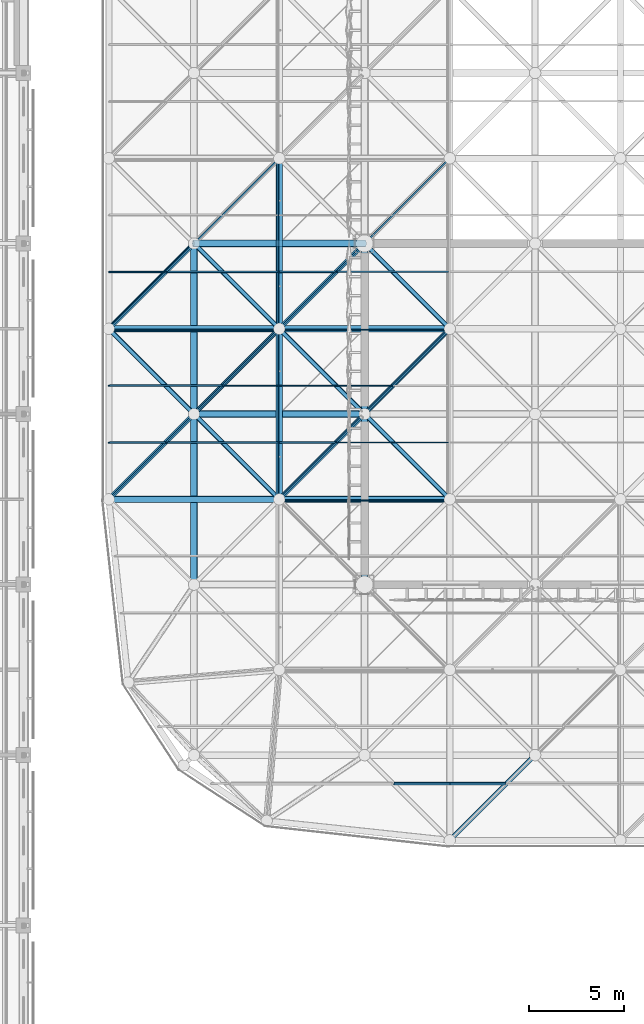
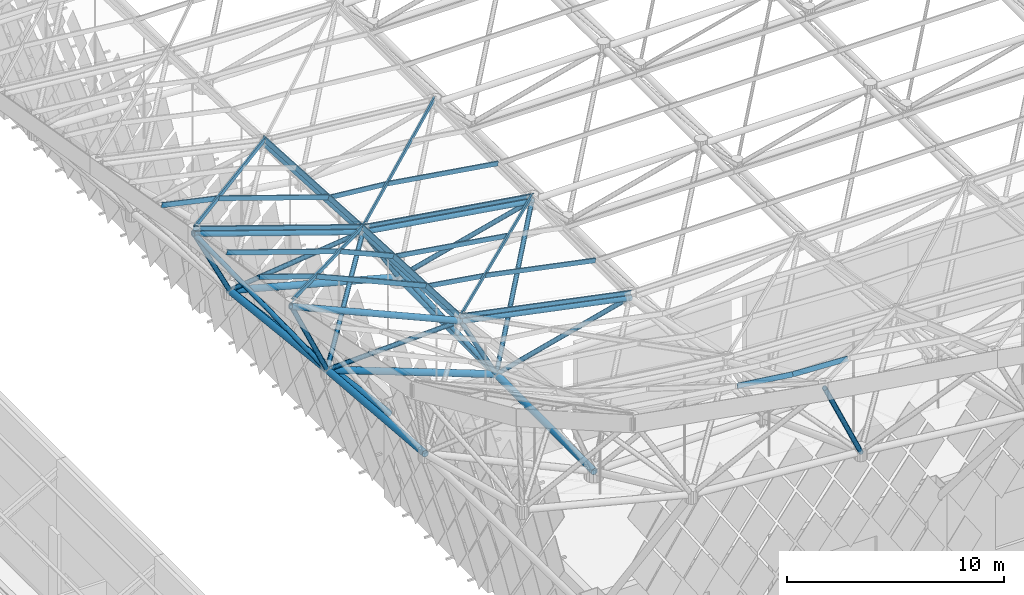
# One storey, part 51 of 437: 48 members.
"""IFC4 building model written with IfcOpenShell, lengths in metres."""

from ifc_helpers import new_model, si_unit, direction, frame, origin, origin_2d, place, context, subcontext, project, spatial, polyline, hollow_circle, outline, extrude, material, material_profile, profile_set, type_object, element, save


model = new_model("IFC4")

# Units and contexts
model_context = context("Model", 3, precision=1e-05, world=origin(), true_north=direction((0.0, 1.0)))
body_context = subcontext(model_context, "Body", "Model", "MODEL_VIEW")
ifc_project = project(units=[si_unit("LENGTHUNIT", "METRE"), si_unit("AREAUNIT", "SQUARE_METRE"), si_unit("VOLUMEUNIT", "CUBIC_METRE"), si_unit("PLANEANGLEUNIT", "RADIAN"), si_unit("MASSUNIT", "GRAM", prefix="KILO")], contexts=[model_context])

# Site, building, storey
site_placement = place(None, origin())
site = spatial("IfcSite", under=ifc_project, at=site_placement, CompositionType="ELEMENT")
building_placement = place(site_placement, origin())
building = spatial("IfcBuilding", under=site, at=building_placement, Name="Opaline Strait Convention Centre", CompositionType="ELEMENT")
storey_placement = place(building_placement, frame((0.0, 0.0, 11.5)))
storey = spatial("IfcBuildingStorey", under=building, at=storey_placement, Name="L02", CompositionType="ELEMENT", Elevation=11.5)

# Members
ifc_material = material(Name="Steel Q355B", Category="steel")
ifc_material_profile_1 = material_profile(ifc_material, hollow_circle(Radius=0.175537109375, WallThickness=0.01611328125, at=origin_2d()), Name="CHS 351x16")
ifc_profile_set_1 = profile_set([ifc_material_profile_1], Name="Steel Q355B")
member_type_1 = type_object("IfcMemberType", Name="Raking prop CHS 351x16", PredefinedType="BRACE", material=ifc_profile_set_1)
member_1_placement = place(storey_placement, frame((98.48388671875, 72.0, 5.0185546875), z_axis=(-0.651001904669, 0.0, 0.759076096394), x_axis=(0.0, -1.0, 0.0)))
element("IfcMember", 1, at=member_1_placement, inside=storey, type_object=member_type_1, Name="Raking prop 99/72 W", PredefinedType="BRACE", context=body_context, shape_type="SweptSolid", body=[
    extrude(hollow_circle(Radius=0.175537109375, WallThickness=0.01611328125, at=origin_2d()), origin(), (0.0, 0.0, 1.0), 13.08203125),
])
ifc_material_profile_2 = material_profile(ifc_material, outline(polyline([(-0.03759765625, -0.125), (0.03759765625, -0.125), (0.03759765625, -0.10498046875), (0.034912109375, -0.10498046875), (0.034912109375, -0.12255859375), (-0.034912109375, -0.12255859375), (-0.034912109375, 0.12255859375), (0.034912109375, 0.12255859375), (0.034912109375, 0.10498046875), (0.03759765625, 0.10498046875), (0.03759765625, 0.125), (-0.03759765625, 0.125), (-0.03759765625, -0.125)])), Name="C 250x75x20x2.5")
ifc_profile_set_2 = profile_set([ifc_material_profile_2], Name="Steel Q355B")
member_type_2 = type_object("IfcMemberType", Name="Roof purlin C 250x75x20x2.5", PredefinedType="PURLIN", material=ifc_profile_set_2)
member_2_placement = place(storey_placement, frame((100.550048828125, 43.5, 23.12255859375), z_axis=(0.991632414904, 0.0, -0.12909358509), x_axis=(-0.05197819634, 0.915358568875, -0.39927053171)))
element("IfcMember", 2, at=member_2_placement, inside=storey, type_object=member_type_2, Name="EXB-RF-P-1-0-0a", PredefinedType="PURLIN", context=body_context, shape_type="SweptSolid", body=[
    extrude(outline(polyline([(-0.03759765625, -0.125), (0.03759765625, -0.125), (0.03759765625, -0.10498046875), (0.034912109375, -0.10498046875), (0.034912109375, -0.12255859375), (-0.034912109375, -0.12255859375), (-0.034912109375, 0.12255859375), (0.034912109375, 0.12255859375), (0.034912109375, 0.10498046875), (0.03759765625, 0.10498046875), (0.03759765625, 0.125), (-0.03759765625, 0.125), (-0.03759765625, -0.125)])), origin(), (0.0, 0.0, 1.0), 2.974853515625),
])
member_3_placement = place(storey_placement, frame((103.5, 43.5, 22.73779296875), z_axis=(0.998826047838, 0.0, -0.048440955395), x_axis=(-0.019504249484, 0.915358568875, -0.402166973581)))
element("IfcMember", 3, at=member_3_placement, inside=storey, type_object=member_type_2, Name="EXB-RF-P-2-0-0b", PredefinedType="PURLIN", context=body_context, shape_type="SweptSolid", body=[
    extrude(outline(polyline([(-0.03759765625, -0.125), (0.03759765625, -0.125), (0.03759765625, -0.10498046875), (0.034912109375, -0.10498046875), (0.034912109375, -0.12255859375), (-0.034912109375, -0.12255859375), (-0.034912109375, 0.12255859375), (0.034912109375, 0.12255859375), (0.034912109375, 0.10498046875), (0.03759765625, 0.10498046875), (0.03759765625, 0.125), (-0.03759765625, 0.125), (-0.03759765625, -0.125)])), origin(), (0.0, 0.0, 1.0), 2.953369140625),
])
member_4_placement = place(storey_placement, frame((103.550048828125, 58.4365234375, 18.26318359375), z_axis=(-0.979783138157, 0.0, 0.200062495694), x_axis=(0.039250095094, -0.980566065775, 0.192222841219)))
element("IfcMember", 4, at=member_4_placement, inside=storey, type_object=member_type_2, Name="EXB-RF-E-1-1a", PredefinedType="PURLIN", context=body_context, shape_type="SweptSolid", body=[
    extrude(outline(polyline([(-0.03759765625, -0.125), (0.03759765625, -0.125), (0.03759765625, -0.10498046875), (0.034912109375, -0.10498046875), (0.034912109375, -0.12255859375), (-0.034912109375, -0.12255859375), (-0.034912109375, 0.12255859375), (0.034912109375, 0.12255859375), (0.034912109375, 0.10498046875), (0.03759765625, 0.10498046875), (0.03759765625, 0.125), (-0.03759765625, 0.125), (-0.03759765625, -0.125)])), origin(), (0.0, 0.0, 1.0), 9.287841796875),
])
member_5_placement = place(storey_placement, frame((85.5, 58.5, 24.06103515625), z_axis=(0.66838117447, 0.66838117447, -0.326394257346), x_axis=(-0.672492106724, 0.730507071966, 0.118801448655)))
element("IfcMember", 5, at=member_5_placement, inside=storey, type_object=member_type_2, Name="EXB-RF-F-0-2", PredefinedType="PURLIN", context=body_context, shape_type="SweptSolid", body=[
    extrude(outline(polyline([(-0.03759765625, -0.125), (0.03759765625, -0.125), (0.03759765625, -0.10498046875), (0.034912109375, -0.10498046875), (0.034912109375, -0.12255859375), (-0.034912109375, -0.12255859375), (-0.034912109375, 0.12255859375), (0.034912109375, 0.12255859375), (0.034912109375, 0.10498046875), (0.03759765625, 0.10498046875), (0.03759765625, 0.125), (-0.03759765625, 0.125), (-0.03759765625, -0.125)])), origin(), (0.0, 0.0, 1.0), 13.46533203125),
])
member_6_placement = place(storey_placement, frame((94.41162109375, 67.550048828125, 19.70654296875), z_axis=(0.0, -0.99882696864, 0.048421965239), x_axis=(0.915532762336, -0.019477416429, -0.401771566115)))
element("IfcMember", 6, at=member_6_placement, inside=storey, type_object=member_type_2, Name="EXB-RF-E-0-2a", PredefinedType="PURLIN", context=body_context, shape_type="SweptSolid", body=[
    extrude(outline(polyline([(-0.03759765625, -0.125), (0.03759765625, -0.125), (0.03759765625, -0.10498046875), (0.034912109375, -0.10498046875), (0.034912109375, -0.12255859375), (-0.034912109375, -0.12255859375), (-0.034912109375, 0.12255859375), (0.034912109375, 0.12255859375), (0.034912109375, 0.10498046875), (0.03759765625, 0.10498046875), (0.03759765625, 0.125), (-0.03759765625, 0.125), (-0.03759765625, -0.125)])), origin(), (0.0, 0.0, 1.0), 9.11083984375),
])
member_7_placement = place(storey_placement, frame((88.550048828125, 61.5, 22.578125), z_axis=(0.915356308677, 0.0, -0.402644791554), x_axis=(-0.01950134748, 0.998826427329, -0.044333570973)))
element("IfcMember", 7, at=member_7_placement, inside=storey, type_object=member_type_2, Name="EXB-RF-P-0-2-0a", PredefinedType="PURLIN", context=body_context, shape_type="SweptSolid", body=[
    extrude(outline(polyline([(-0.03759765625, -0.125), (0.03759765625, -0.125), (0.03759765625, -0.10498046875), (0.034912109375, -0.10498046875), (0.034912109375, -0.12255859375), (-0.034912109375, -0.12255859375), (-0.034912109375, 0.12255859375), (0.034912109375, 0.12255859375), (0.034912109375, 0.10498046875), (0.03759765625, 0.10498046875), (0.03759765625, 0.125), (-0.03759765625, 0.125), (-0.03759765625, -0.125)])), origin(), (0.0, 0.0, 1.0), 6.365966796875),
])
member_8_placement = place(storey_placement, frame((91.550048828125, 64.5, 21.113037109375), z_axis=(0.9153499956, 0.0, -0.402659143142), x_axis=(-0.019502042572, 0.998826427329, -0.044333265211)))
element("IfcMember", 8, at=member_8_placement, inside=storey, type_object=member_type_2, Name="EXB-RF-P-0-2-1a", PredefinedType="PURLIN", context=body_context, shape_type="SweptSolid", body=[
    extrude(outline(polyline([(-0.03759765625, -0.125), (0.03759765625, -0.125), (0.03759765625, -0.10498046875), (0.034912109375, -0.10498046875), (0.034912109375, -0.12255859375), (-0.034912109375, -0.12255859375), (-0.034912109375, 0.12255859375), (0.034912109375, 0.12255859375), (0.034912109375, 0.10498046875), (0.03759765625, 0.10498046875), (0.03759765625, 0.125), (-0.03759765625, 0.125), (-0.03759765625, -0.125)])), origin(), (0.0, 0.0, 1.0), 3.088623046875),
])
member_9_placement = place(storey_placement, frame((94.550048828125, 67.443115234375, 19.657470703125), z_axis=(-0.94707556838, 0.0, 0.321010697294), x_axis=(0.044974525914, -0.990136950451, 0.132688022709)))
element("IfcMember", 9, at=member_9_placement, inside=storey, type_object=member_type_2, Name="EXB-RF-E-0-2b", PredefinedType="PURLIN", context=body_context, shape_type="SweptSolid", body=[
    extrude(outline(polyline([(-0.03759765625, -0.125), (0.03759765625, -0.125), (0.03759765625, -0.10498046875), (0.034912109375, -0.10498046875), (0.034912109375, -0.12255859375), (-0.034912109375, -0.12255859375), (-0.034912109375, 0.12255859375), (0.034912109375, 0.12255859375), (0.034912109375, 0.10498046875), (0.03759765625, 0.10498046875), (0.03759765625, 0.125), (-0.03759765625, 0.125), (-0.03759765625, -0.125)])), origin(), (0.0, 0.0, 1.0), 9.608642578125),
])
member_10_placement = place(storey_placement, frame((85.5, 61.5, 23.612548828125), z_axis=(0.947088093086, 0.0, -0.320973743374), x_axis=(-0.047429088664, 0.989022311823, -0.139947662594)))
element("IfcMember", 10, at=member_10_placement, inside=storey, type_object=member_type_2, Name="EXB-RF-P-0-2-0b", PredefinedType="PURLIN", context=body_context, shape_type="SweptSolid", body=[
    extrude(outline(polyline([(-0.03759765625, -0.125), (0.03759765625, -0.125), (0.03759765625, -0.10498046875), (0.034912109375, -0.10498046875), (0.034912109375, -0.12255859375), (-0.034912109375, -0.12255859375), (-0.034912109375, 0.12255859375), (0.034912109375, 0.12255859375), (0.034912109375, 0.10498046875), (0.03759765625, 0.10498046875), (0.03759765625, 0.125), (-0.03759765625, 0.125), (-0.03759765625, -0.125)])), origin(), (0.0, 0.0, 1.0), 3.11474609375),
])
member_11_placement = place(storey_placement, frame((85.5, 64.5, 23.16455078125), z_axis=(0.947070084803, 0.0, -0.321026874997), x_axis=(-0.047436939725, 0.989022311823, -0.139945001577)))
element("IfcMember", 11, at=member_11_placement, inside=storey, type_object=member_type_2, Name="EXB-RF-P-0-2-1b", PredefinedType="PURLIN", context=body_context, shape_type="SweptSolid", body=[
    extrude(outline(polyline([(-0.03759765625, -0.125), (0.03759765625, -0.125), (0.03759765625, -0.10498046875), (0.034912109375, -0.10498046875), (0.034912109375, -0.12255859375), (-0.034912109375, -0.12255859375), (-0.034912109375, 0.12255859375), (0.034912109375, 0.12255859375), (0.034912109375, 0.10498046875), (0.03759765625, 0.10498046875), (0.03759765625, 0.125), (-0.03759765625, 0.125), (-0.03759765625, -0.125)])), origin(), (0.0, 0.0, 1.0), 6.282470703125),
])
member_12_placement = place(storey_placement, frame((94.5, 58.5, 20.09521484375), z_axis=(0.699848198846, 0.699848198846, -0.142916049287), x_axis=(-0.697561791101, 0.712686479451, 0.074064361226)))
element("IfcMember", 12, at=member_12_placement, inside=storey, type_object=member_type_2, Name="EXB-RF-F-1-2", PredefinedType="PURLIN", context=body_context, shape_type="SweptSolid", body=[
    extrude(outline(polyline([(-0.03759765625, -0.125), (0.03759765625, -0.125), (0.03759765625, -0.10498046875), (0.034912109375, -0.10498046875), (0.034912109375, -0.12255859375), (-0.034912109375, -0.12255859375), (-0.034912109375, 0.12255859375), (0.034912109375, 0.12255859375), (0.034912109375, 0.10498046875), (0.03759765625, 0.10498046875), (0.03759765625, 0.125), (-0.03759765625, 0.125), (-0.03759765625, -0.125)])), origin(), (0.0, 0.0, 1.0), 12.85986328125),
])
member_13_placement = place(storey_placement, frame((97.550048828125, 61.5, 19.474609375), z_axis=(0.979783458898, 0.0, -0.200060924894), x_axis=(0.0, 1.0, 0.0)))
element("IfcMember", 13, at=member_13_placement, inside=storey, type_object=member_type_2, Name="EXB-RF-P-1-2-0a", PredefinedType="PURLIN", context=body_context, shape_type="SweptSolid", body=[
    extrude(outline(polyline([(-0.03759765625, -0.125), (0.03759765625, -0.125), (0.03759765625, -0.10498046875), (0.034912109375, -0.10498046875), (0.034912109375, -0.12255859375), (-0.034912109375, -0.12255859375), (-0.034912109375, 0.12255859375), (0.034912109375, 0.12255859375), (0.034912109375, 0.10498046875), (0.03759765625, 0.10498046875), (0.03759765625, 0.125), (-0.03759765625, 0.125), (-0.03759765625, -0.125)])), origin(), (0.0, 0.0, 1.0), 5.972412109375),
])
member_14_placement = place(storey_placement, frame((103.550048828125, 67.454345703125, 18.2529296875), z_axis=(-0.988093016125, 0.0, 0.153857698814), x_axis=(0.007363297001, -0.998854157138, 0.047287996623)))
element("IfcMember", 14, at=member_14_placement, inside=storey, type_object=member_type_2, Name="EXB-RF-E-1-2b", PredefinedType="PURLIN", context=body_context, shape_type="SweptSolid", body=[
    extrude(outline(polyline([(-0.03759765625, -0.125), (0.03759765625, -0.125), (0.03759765625, -0.10498046875), (0.034912109375, -0.10498046875), (0.034912109375, -0.12255859375), (-0.034912109375, -0.12255859375), (-0.034912109375, 0.12255859375), (0.034912109375, 0.12255859375), (0.034912109375, 0.10498046875), (0.03759765625, 0.10498046875), (0.03759765625, 0.125), (-0.03759765625, 0.125), (-0.03759765625, -0.125)])), origin(), (0.0, 0.0, 1.0), 9.209716796875),
])
member_15_placement = place(storey_placement, frame((94.5, 61.5, 19.950927734375), z_axis=(0.988086366005, 0.0, -0.153900400631), x_axis=(-0.00745387809, 0.998826427329, -0.047856115284)))
element("IfcMember", 15, at=member_15_placement, inside=storey, type_object=member_type_2, Name="EXB-RF-P-1-2-0b", PredefinedType="PURLIN", context=body_context, shape_type="SweptSolid", body=[
    extrude(outline(polyline([(-0.03759765625, -0.125), (0.03759765625, -0.125), (0.03759765625, -0.10498046875), (0.034912109375, -0.10498046875), (0.034912109375, -0.12255859375), (-0.034912109375, -0.12255859375), (-0.034912109375, 0.12255859375), (0.034912109375, 0.12255859375), (0.034912109375, 0.10498046875), (0.03759765625, 0.10498046875), (0.03759765625, 0.125), (-0.03759765625, 0.125), (-0.03759765625, -0.125)])), origin(), (0.0, 0.0, 1.0), 2.985595703125),
])
member_16_placement = place(storey_placement, frame((94.5, 64.5, 19.805419921875), z_axis=(0.988092099011, 0.0, -0.153863588517), x_axis=(-0.007452095164, 0.998826427329, -0.047856392952)))
element("IfcMember", 16, at=member_16_placement, inside=storey, type_object=member_type_2, Name="EXB-RF-P-1-2-1b", PredefinedType="PURLIN", context=body_context, shape_type="SweptSolid", body=[
    extrude(outline(polyline([(-0.03759765625, -0.125), (0.03759765625, -0.125), (0.03759765625, -0.10498046875), (0.034912109375, -0.10498046875), (0.034912109375, -0.12255859375), (-0.034912109375, -0.12255859375), (-0.034912109375, 0.12255859375), (0.034912109375, 0.12255859375), (0.034912109375, 0.10498046875), (0.03759765625, 0.10498046875), (0.03759765625, 0.125), (-0.03759765625, 0.125), (-0.03759765625, -0.125)])), origin(), (0.0, 0.0, 1.0), 6.021728515625),
])
member_17_placement = place(storey_placement, frame((85.5, 67.5, 22.71142578125), z_axis=(0.680940085926, 0.680940085926, -0.26952031233), x_axis=(-0.701135867447, 0.712454070999, 0.028595316)))
element("IfcMember", 17, at=member_17_placement, inside=storey, type_object=member_type_2, Name="EXB-RF-F-0-3", PredefinedType="PURLIN", context=body_context, shape_type="SweptSolid", body=[
    extrude(outline(polyline([(-0.03759765625, -0.125), (0.03759765625, -0.125), (0.03759765625, -0.10498046875), (0.034912109375, -0.10498046875), (0.034912109375, -0.12255859375), (-0.034912109375, -0.12255859375), (-0.034912109375, 0.12255859375), (0.034912109375, 0.12255859375), (0.034912109375, 0.10498046875), (0.03759765625, 0.10498046875), (0.03759765625, 0.125), (-0.03759765625, 0.125), (-0.03759765625, -0.125)])), origin(), (0.0, 0.0, 1.0), 13.217041015625),
])
member_18_placement = place(storey_placement, frame((94.421630859375, 76.550048828125, 19.177490234375), z_axis=(0.0, -0.998386467892, 0.056784335245), x_axis=(0.947231539522, -0.018202228232, -0.320032950527)))
element("IfcMember", 18, at=member_18_placement, inside=storey, type_object=member_type_2, Name="EXB-RF-E-0-3a", PredefinedType="PURLIN", context=body_context, shape_type="SweptSolid", body=[
    extrude(outline(polyline([(-0.03759765625, -0.125), (0.03759765625, -0.125), (0.03759765625, -0.10498046875), (0.034912109375, -0.10498046875), (0.034912109375, -0.12255859375), (-0.034912109375, -0.12255859375), (-0.034912109375, 0.12255859375), (0.034912109375, 0.12255859375), (0.034912109375, 0.10498046875), (0.03759765625, 0.10498046875), (0.03759765625, 0.125), (-0.03759765625, 0.125), (-0.03759765625, -0.125)])), origin(), (0.0, 0.0, 1.0), 9.11474609375),
])
member_19_placement = place(storey_placement, frame((88.550048828125, 70.5, 21.511474609375), z_axis=(0.947082821832, 0.0, -0.320989296692), x_axis=(-0.018222388517, 0.99838731392, -0.053765378829)))
element("IfcMember", 19, at=member_19_placement, inside=storey, type_object=member_type_2, Name="EXB-RF-P-0-3-0a", PredefinedType="PURLIN", context=body_context, shape_type="SweptSolid", body=[
    extrude(outline(polyline([(-0.03759765625, -0.125), (0.03759765625, -0.125), (0.03759765625, -0.10498046875), (0.034912109375, -0.10498046875), (0.034912109375, -0.12255859375), (-0.034912109375, -0.12255859375), (-0.034912109375, 0.12255859375), (0.034912109375, 0.12255859375), (0.034912109375, 0.10498046875), (0.03759765625, 0.10498046875), (0.03759765625, 0.125), (-0.03759765625, 0.125), (-0.03759765625, -0.125)])), origin(), (0.0, 0.0, 1.0), 6.1630859375),
])
member_20_placement = place(storey_placement, frame((85.5, 70.5, 22.184326171875), z_axis=(0.976699731106, 0.0, -0.214610426722), x_axis=(-0.037218754753, 0.984847127184, -0.169383884626)))
element("IfcMember", 20, at=member_20_placement, inside=storey, type_object=member_type_2, Name="EXB-RF-P-0-3-0b", PredefinedType="PURLIN", context=body_context, shape_type="SweptSolid", body=[
    extrude(outline(polyline([(-0.03759765625, -0.125), (0.03759765625, -0.125), (0.03759765625, -0.10498046875), (0.034912109375, -0.10498046875), (0.034912109375, -0.12255859375), (-0.034912109375, -0.12255859375), (-0.034912109375, 0.12255859375), (0.034912109375, 0.12255859375), (0.034912109375, 0.10498046875), (0.03759765625, 0.10498046875), (0.03759765625, 0.125), (-0.03759765625, 0.125), (-0.03759765625, -0.125)])), origin(), (0.0, 0.0, 1.0), 3.020263671875),
])
member_21_placement = place(storey_placement, frame((94.5, 67.5, 19.657470703125), z_axis=(0.702857973456, 0.702857973456, -0.10945929974), x_axis=(-0.704515187221, 0.709082641772, 0.029328452286)))
element("IfcMember", 21, at=member_21_placement, inside=storey, type_object=member_type_2, Name="EXB-RF-F-1-3", PredefinedType="PURLIN", context=body_context, shape_type="SweptSolid", body=[
    extrude(outline(polyline([(-0.03759765625, -0.125), (0.03759765625, -0.125), (0.03759765625, -0.10498046875), (0.034912109375, -0.10498046875), (0.034912109375, -0.12255859375), (-0.034912109375, -0.12255859375), (-0.034912109375, 0.12255859375), (0.034912109375, 0.12255859375), (0.034912109375, 0.10498046875), (0.03759765625, 0.10498046875), (0.03759765625, 0.125), (-0.03759765625, 0.125), (-0.03759765625, -0.125)])), origin(), (0.0, 0.0, 1.0), 12.804931640625),
])
member_22_placement = place(storey_placement, frame((97.550048828125, 70.5, 19.18505859375), z_axis=(0.988090041888, 0.0, -0.15387679852), x_axis=(0.0, 1.0, 0.0)))
element("IfcMember", 22, at=member_22_placement, inside=storey, type_object=member_type_2, Name="EXB-RF-P-1-3-0a", PredefinedType="PURLIN", context=body_context, shape_type="SweptSolid", body=[
    extrude(outline(polyline([(-0.03759765625, -0.125), (0.03759765625, -0.125), (0.03759765625, -0.10498046875), (0.034912109375, -0.10498046875), (0.034912109375, -0.12255859375), (-0.034912109375, -0.12255859375), (-0.034912109375, 0.12255859375), (0.034912109375, 0.12255859375), (0.034912109375, 0.10498046875), (0.03759765625, 0.10498046875), (0.03759765625, 0.125), (-0.03759765625, 0.125), (-0.03759765625, -0.125)])), origin(), (0.0, 0.0, 1.0), 5.927490234375),
])
member_23_placement = place(storey_placement, frame((94.5, 70.5, 19.488525390625), z_axis=(0.995153115332, 0.0, -0.098337566805), x_axis=(-0.005582570405, 0.99838731392, -0.056494303355)))
element("IfcMember", 23, at=member_23_placement, inside=storey, type_object=member_type_2, Name="EXB-RF-P-1-3-0b", PredefinedType="PURLIN", context=body_context, shape_type="SweptSolid", body=[
    extrude(outline(polyline([(-0.03759765625, -0.125), (0.03759765625, -0.125), (0.03759765625, -0.10498046875), (0.034912109375, -0.10498046875), (0.034912109375, -0.12255859375), (-0.034912109375, -0.12255859375), (-0.034912109375, 0.12255859375), (0.034912109375, 0.12255859375), (0.034912109375, 0.10498046875), (0.03759765625, 0.10498046875), (0.03759765625, 0.125), (-0.03759765625, 0.125), (-0.03759765625, -0.125)])), origin(), (0.0, 0.0, 1.0), 2.96435546875),
])
ifc_material_profile_3 = material_profile(ifc_material, hollow_circle(Radius=0.175537109375, WallThickness=0.01611328125, at=origin_2d()), Name="CHS 351x16")
ifc_profile_set_3 = profile_set([ifc_material_profile_3], Name="Steel Q355B")
member_type_3 = type_object("IfcMemberType", Name="Space frame bottom chord CHS 351x16", PredefinedType="CHORD", material=ifc_profile_set_3)
member_24_placement = place(storey_placement, frame((89.953125, 63.0, 15.919189453125), z_axis=(0.935426145713, 0.0, -0.353522171746), x_axis=(0.0, 1.0, 0.0)))
element("IfcMember", 24, at=member_24_placement, inside=storey, type_object=member_type_3, Name="EXB-RF-BX-0-2", PredefinedType="CHORD", context=body_context, shape_type="SweptSolid", body=[
    extrude(hollow_circle(Radius=0.175537109375, WallThickness=0.01611328125, at=origin_2d()), origin(), (0.0, 0.0, 1.0), 9.721435546875),
])
member_25_placement = place(storey_placement, frame((89.95166015625, 72.0, 14.923828125), z_axis=(0.965943886193, 0.0, -0.258751635215), x_axis=(0.0, 1.0, 0.0)))
element("IfcMember", 25, at=member_25_placement, inside=storey, type_object=member_type_3, Name="EXB-RF-BX-0-3", PredefinedType="CHORD", context=body_context, shape_type="SweptSolid", body=[
    extrude(hollow_circle(Radius=0.175537109375, WallThickness=0.01611328125, at=origin_2d()), origin(), (0.0, 0.0, 1.0), 9.41748046875),
])
member_26_placement = place(storey_placement, frame((90.0, 53.9501953125, 16.66064453125), z_axis=(0.0, 0.996499137169, -0.083603047916), x_axis=(-1.0, 0.0, 0.0)))
element("IfcMember", 26, at=member_26_placement, inside=storey, type_object=member_type_3, Name="EXB-RF-BY-0-1", PredefinedType="CHORD", context=body_context, shape_type="SweptSolid", body=[
    extrude(hollow_circle(Radius=0.175537109375, WallThickness=0.01611328125, at=origin_2d()), origin(), (0.0, 0.0, 1.0), 9.131591796875),
])
member_27_placement = place(storey_placement, frame((90.0, 62.9501953125, 15.906982421875), z_axis=(0.0, 0.993995425291, -0.109421636348), x_axis=(-1.0, 0.0, 0.0)))
element("IfcMember", 27, at=member_27_placement, inside=storey, type_object=member_type_3, Name="EXB-RF-BY-0-2", PredefinedType="CHORD", context=body_context, shape_type="SweptSolid", body=[
    extrude(hollow_circle(Radius=0.175537109375, WallThickness=0.01611328125, at=origin_2d()), origin(), (0.0, 0.0, 1.0), 9.154541015625),
])
for number, where, z_axis, x_axis, name in (
    (28, (99.0, 53.949951171875, 12.5), (0.0, 1.0, 0.0), (-1.0, 0.0, 0.0), "EXB-RF-BY-1-1"),
    (29, (99.0, 62.949951171875, 12.5), (0.0, 1.0, 0.0), (-1.0, 0.0, 0.0), "EXB-RF-BY-1-2"),
):
    element("IfcMember", number, at=place(storey_placement, frame(where, z_axis=z_axis, x_axis=x_axis)), inside=storey, type_object=member_type_3, Name=name, PredefinedType="CHORD", context=body_context, shape_type="SweptSolid", body=[
        extrude(hollow_circle(Radius=0.175537109375, WallThickness=0.01611328125, at=origin_2d()), origin(), (0.0, 0.0, 1.0), 9.10009765625),
    ])
ifc_material_profile_4 = material_profile(ifc_material, hollow_circle(Radius=0.16259765625, WallThickness=0.02001953125, at=origin_2d()), Name="CHS 325x20")
ifc_profile_set_4 = profile_set([ifc_material_profile_4], Name="Steel Q355B")
member_type_4 = type_object("IfcMemberType", Name="Space frame top chord CHS 325x20", PredefinedType="CHORD", material=ifc_profile_set_4)
member_28_placement = place(storey_placement, frame((85.454345703125, 58.5, 23.788330078125), z_axis=(0.915357797375, 0.0, -0.402641407192), x_axis=(0.0, 1.0, 0.0)))
element("IfcMember", 30, at=member_28_placement, inside=storey, type_object=member_type_4, Name="EXB-RF-TX-0-2", PredefinedType="CHORD", context=body_context, shape_type="SweptSolid", body=[
    extrude(hollow_circle(Radius=0.16259765625, WallThickness=0.02001953125, at=origin_2d()), origin(), (0.0, 0.0, 1.0), 9.931884765625),
])
member_29_placement = place(storey_placement, frame((94.450927734375, 58.5, 19.8193359375), z_axis=(0.979779873088, 0.0, -0.200078485327), x_axis=(0.0, 1.0, 0.0)))
element("IfcMember", 31, at=member_29_placement, inside=storey, type_object=member_type_4, Name="EXB-RF-TX-1-2", PredefinedType="CHORD", context=body_context, shape_type="SweptSolid", body=[
    extrude(hollow_circle(Radius=0.16259765625, WallThickness=0.02001953125, at=origin_2d()), origin(), (0.0, 0.0, 1.0), 9.285888671875),
])
member_30_placement = place(storey_placement, frame((85.45263671875, 67.5, 22.439697265625), z_axis=(0.947072036929, 0.0, -0.321021115921), x_axis=(0.0, 1.0, 0.0)))
element("IfcMember", 32, at=member_30_placement, inside=storey, type_object=member_type_4, Name="EXB-RF-TX-0-3", PredefinedType="CHORD", context=body_context, shape_type="SweptSolid", body=[
    extrude(hollow_circle(Radius=0.16259765625, WallThickness=0.02001953125, at=origin_2d()), origin(), (0.0, 0.0, 1.0), 9.60302734375),
])
member_31_placement = place(storey_placement, frame((94.45068359375, 67.5, 19.380615234375), z_axis=(0.988093281059, 0.0, -0.15385599737), x_axis=(0.0, 1.0, 0.0)))
element("IfcMember", 33, at=member_31_placement, inside=storey, type_object=member_type_4, Name="EXB-RF-TX-1-3", PredefinedType="CHORD", context=body_context, shape_type="SweptSolid", body=[
    extrude(hollow_circle(Radius=0.16259765625, WallThickness=0.02001953125, at=origin_2d()), origin(), (0.0, 0.0, 1.0), 9.208251953125),
])
member_32_placement = place(storey_placement, frame((94.5, 58.449951171875, 19.811767578125), z_axis=(0.0, 0.99882696864, -0.048421965239), x_axis=(-1.0, 0.0, 0.0)))
element("IfcMember", 34, at=member_32_placement, inside=storey, type_object=member_type_4, Name="EXB-RF-TY-1-2", PredefinedType="CHORD", context=body_context, shape_type="SweptSolid", body=[
    extrude(hollow_circle(Radius=0.16259765625, WallThickness=0.02001953125, at=origin_2d()), origin(), (0.0, 0.0, 1.0), 9.11083984375),
])
member_33_placement = place(storey_placement, frame((94.5, 67.4501953125, 19.375732421875), z_axis=(0.0, 0.998387813469, -0.056760672267), x_axis=(-1.0, 0.0, 0.0)))
element("IfcMember", 35, at=member_33_placement, inside=storey, type_object=member_type_4, Name="EXB-RF-TY-1-3", PredefinedType="CHORD", context=body_context, shape_type="SweptSolid", body=[
    extrude(hollow_circle(Radius=0.16259765625, WallThickness=0.02001953125, at=origin_2d()), origin(), (0.0, 0.0, 1.0), 9.1142578125),
])
ifc_material_profile_5 = material_profile(ifc_material, hollow_circle(Radius=0.12255859375, WallThickness=0.011962890625, at=origin_2d()), Name="CHS 245x12")
ifc_profile_set_5 = profile_set([ifc_material_profile_5], Name="Steel Q355B")
member_type_5 = type_object("IfcMemberType", Name="Space frame web CHS 245x12", PredefinedType="BRACE", material=ifc_profile_set_5)
member_34_placement = place(storey_placement, frame((85.477783203125, 58.477783203125, 23.80712890625), z_axis=(0.444721060586, 0.444721060586, -0.777461482353), x_axis=(-0.707106781187, 0.707106781187, 0.0)))
element("IfcMember", 36, at=member_34_placement, inside=storey, type_object=member_type_5, Name="EXB-RF-W-0-2-00", PredefinedType="BRACE", context=body_context, shape_type="SweptSolid", body=[
    extrude(hollow_circle(Radius=0.12255859375, WallThickness=0.011962890625, at=origin_2d()), origin(), (0.0, 0.0, 1.0), 10.218505859375),
])
member_35_placement = place(storey_placement, frame((85.475341796875, 67.524658203125, 22.459228515625), z_axis=(0.493829497226, -0.493829497226, -0.715726802167), x_axis=(0.707106781187, 0.707106781187, 0.0)))
element("IfcMember", 37, at=member_35_placement, inside=storey, type_object=member_type_5, Name="EXB-RF-W-0-2-01", PredefinedType="BRACE", context=body_context, shape_type="SweptSolid", body=[
    extrude(hollow_circle(Radius=0.12255859375, WallThickness=0.011962890625, at=origin_2d()), origin(), (0.0, 0.0, 1.0), 9.21240234375),
])
member_36_placement = place(storey_placement, frame((94.530029296875, 58.469970703125, 19.83544921875), z_axis=(-0.60256121026, 0.60256121026, -0.523297215528), x_axis=(-0.707106781187, -0.707106781187, 0.0)))
element("IfcMember", 38, at=member_36_placement, inside=storey, type_object=member_type_5, Name="EXB-RF-W-0-2-10", PredefinedType="BRACE", context=body_context, shape_type="SweptSolid", body=[
    extrude(hollow_circle(Radius=0.12255859375, WallThickness=0.011962890625, at=origin_2d()), origin(), (0.0, 0.0, 1.0), 7.56787109375),
])
member_37_placement = place(storey_placement, frame((94.531005859375, 67.531005859375, 19.39697265625), z_axis=(-0.620747928785, -0.620747928785, -0.478898755291), x_axis=(0.707106781187, -0.707106781187, 0.0)))
element("IfcMember", 39, at=member_37_placement, inside=storey, type_object=member_type_5, Name="EXB-RF-W-0-2-11", PredefinedType="BRACE", context=body_context, shape_type="SweptSolid", body=[
    extrude(hollow_circle(Radius=0.12255859375, WallThickness=0.011962890625, at=origin_2d()), origin(), (0.0, 0.0, 1.0), 7.34912109375),
])
member_38_placement = place(storey_placement, frame((85.47705078125, 67.47705078125, 22.461669921875), z_axis=(0.457053151729, 0.457053151729, -0.763023481283), x_axis=(-0.707106781187, 0.707106781187, 0.0)))
element("IfcMember", 40, at=member_38_placement, inside=storey, type_object=member_type_5, Name="EXB-RF-W-0-3-00", PredefinedType="BRACE", context=body_context, shape_type="SweptSolid", body=[
    extrude(hollow_circle(Radius=0.12255859375, WallThickness=0.011962890625, at=origin_2d()), origin(), (0.0, 0.0, 1.0), 9.946044921875),
])
member_39_placement = place(storey_placement, frame((94.529052734375, 67.470947265625, 19.401611328125), z_axis=(-0.578978904854, 0.578978904854, -0.574079136939), x_axis=(-0.707106781187, -0.707106781187, 0.0)))
element("IfcMember", 41, at=member_39_placement, inside=storey, type_object=member_type_5, Name="EXB-RF-W-0-3-10", PredefinedType="BRACE", context=body_context, shape_type="SweptSolid", body=[
    extrude(hollow_circle(Radius=0.12255859375, WallThickness=0.011962890625, at=origin_2d()), origin(), (0.0, 0.0, 1.0), 7.87255859375),
])
member_40_placement = place(storey_placement, frame((94.476806640625, 58.476806640625, 19.84716796875), z_axis=(0.464318393321, 0.464318393321, -0.754199482396), x_axis=(-0.707106781187, 0.707106781187, 0.0)))
element("IfcMember", 42, at=member_40_placement, inside=storey, type_object=member_type_5, Name="EXB-RF-W-1-2-00", PredefinedType="BRACE", context=body_context, shape_type="SweptSolid", body=[
    extrude(hollow_circle(Radius=0.12255859375, WallThickness=0.011962890625, at=origin_2d()), origin(), (0.0, 0.0, 1.0), 9.79150390625),
])
member_41_placement = place(storey_placement, frame((94.47607421875, 67.52392578125, 19.40966796875), z_axis=(0.480409370333, -0.480409370333, -0.733766770706), x_axis=(0.707106781187, 0.707106781187, 0.0)))
element("IfcMember", 43, at=member_41_placement, inside=storey, type_object=member_type_5, Name="EXB-RF-W-1-2-01", PredefinedType="BRACE", context=body_context, shape_type="SweptSolid", body=[
    extrude(hollow_circle(Radius=0.12255859375, WallThickness=0.011962890625, at=origin_2d()), origin(), (0.0, 0.0, 1.0), 9.466552734375),
])
for number, where, z_axis, x_axis, name in (
    (44, (103.52685546875, 58.47314453125, 18.004150390625), (-0.536178220346, 0.536178220346, -0.6519400525), (-0.707106781187, -0.707106781187, 0.0), "EXB-RF-W-1-2-10"),
    (45, (103.52685546875, 67.52685546875, 18.004150390625), (-0.536178220346, -0.536178220346, -0.6519400525), (0.707106781187, -0.707106781187, 0.0), "EXB-RF-W-1-2-11"),
):
    element("IfcMember", number, at=place(storey_placement, frame(where, z_axis=z_axis, x_axis=x_axis)), inside=storey, type_object=member_type_5, Name=name, PredefinedType="BRACE", context=body_context, shape_type="SweptSolid", body=[
        extrude(hollow_circle(Radius=0.12255859375, WallThickness=0.011962890625, at=origin_2d()), origin(), (0.0, 0.0, 1.0), 8.492919921875),
    ])
member_42_placement = place(storey_placement, frame((94.47607421875, 67.47607421875, 19.40966796875), z_axis=(0.480409370333, 0.480409370333, -0.733766770706), x_axis=(-0.707106781187, 0.707106781187, 0.0)))
element("IfcMember", 46, at=member_42_placement, inside=storey, type_object=member_type_5, Name="EXB-RF-W-1-3-00", PredefinedType="BRACE", context=body_context, shape_type="SweptSolid", body=[
    extrude(hollow_circle(Radius=0.12255859375, WallThickness=0.011962890625, at=origin_2d()), origin(), (0.0, 0.0, 1.0), 9.466552734375),
])
member_43_placement = place(storey_placement, frame((103.52685546875, 67.47314453125, 18.004150390625), z_axis=(-0.536178220346, 0.536178220346, -0.6519400525), x_axis=(-0.707106781187, -0.707106781187, 0.0)))
element("IfcMember", 47, at=member_43_placement, inside=storey, type_object=member_type_5, Name="EXB-RF-W-1-3-10", PredefinedType="BRACE", context=body_context, shape_type="SweptSolid", body=[
    extrude(hollow_circle(Radius=0.12255859375, WallThickness=0.011962890625, at=origin_2d()), origin(), (0.0, 0.0, 1.0), 8.492919921875),
])
member_44_placement = place(storey_placement, frame((103.477783203125, 40.477783203125, 23.80712890625), z_axis=(0.444721060586, 0.444721060586, -0.777461482353), x_axis=(-0.707106781187, 0.707106781187, 0.0)))
element("IfcMember", 48, at=member_44_placement, inside=storey, type_object=member_type_5, Name="EXB-RF-W-2-0-00", PredefinedType="BRACE", context=body_context, shape_type="SweptSolid", body=[
    extrude(hollow_circle(Radius=0.12255859375, WallThickness=0.011962890625, at=origin_2d()), origin(), (0.0, 0.0, 1.0), 10.218505859375),
])

save(model, "model.ifc")
